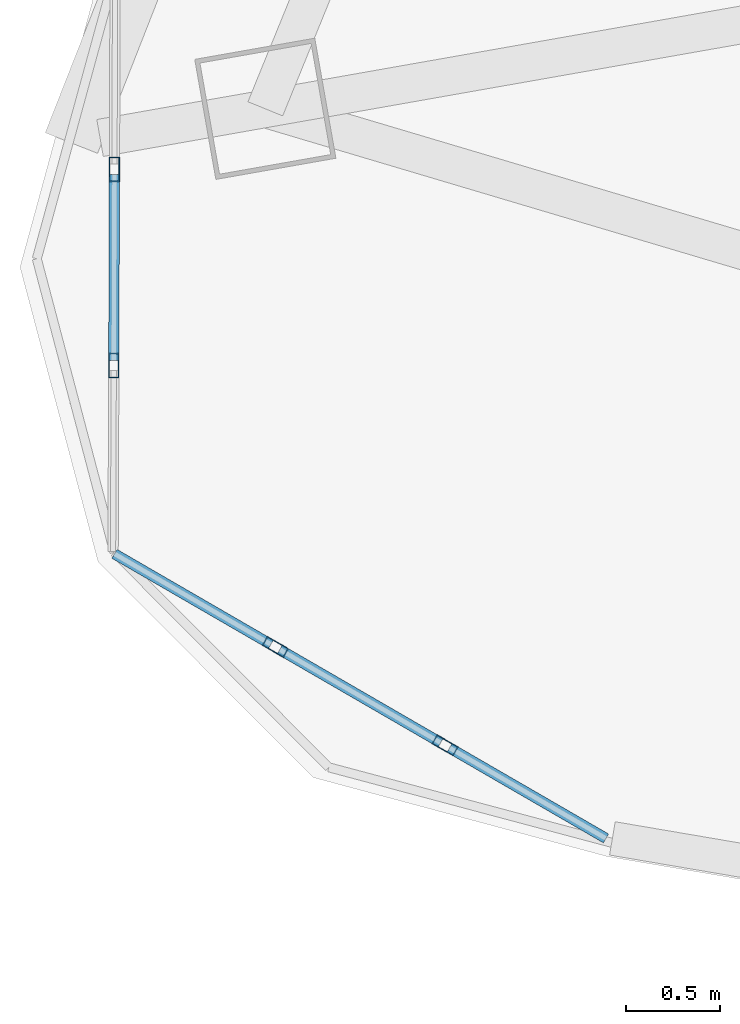
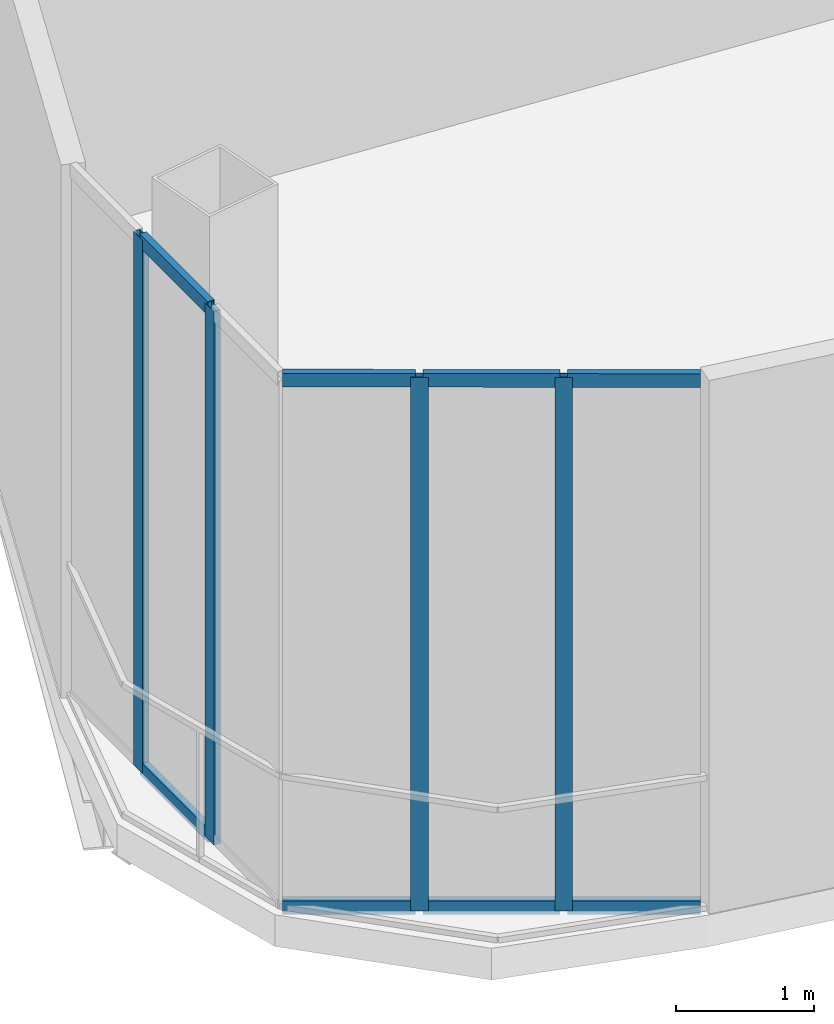
# One storey, part 2 of 33: 12 members, 2 elements without a shape of their own.
"""IFC4 building model written with IfcOpenShell, lengths in metres."""

from ifc_helpers import new_model, si_unit, direction, frame, origin, origin_2d, place, context, subcontext, project, spatial, hollow_rectangle, extrude, source, transform, mapped, material, layer, layer_set, material_profile, profile_set, type_object, element, aggregate, save


model = new_model("IFC4")

# Units and contexts
model_context = context("Model", 3, precision=1e-05, world=origin(), true_north=direction((0.0, 1.0)))
body_context = subcontext(model_context, "Body", "Model", "MODEL_VIEW")
ifc_project = project(units=[si_unit("LENGTHUNIT", "METRE"), si_unit("AREAUNIT", "SQUARE_METRE"), si_unit("VOLUMEUNIT", "CUBIC_METRE"), si_unit("PLANEANGLEUNIT", "RADIAN"), si_unit("MASSUNIT", "GRAM", prefix="KILO"), si_unit("THERMODYNAMICTEMPERATUREUNIT", "KELVIN"), si_unit("POWERUNIT", "WATT")], contexts=[model_context])

# Site, building, storey
site_placement = place(None, origin())
site = spatial("IfcSite", under=ifc_project, at=site_placement, CompositionType="ELEMENT")
building_placement = place(site_placement, origin())
building = spatial("IfcBuilding", under=site, at=building_placement, Name="Yunzhuo Pagoda Commons", CompositionType="ELEMENT")
storey_placement = place(building_placement, frame((0.0, 0.0, 386.760009765625)))
storey = spatial("IfcBuildingStorey", under=building, at=storey_placement, Name="L96", CompositionType="ELEMENT", Elevation=386.760009765625)

# Curtain wall, members
ifc_material = material(Name="Anodized aluminium 6063-T6", Category="aluminium")
ifc_layer = layer(ifc_material, 0.1298828125)
ifc_layer_set = layer_set([ifc_layer], Name="Anodized aluminium 6063-T6")
curtain_wall_type = type_object("IfcCurtainWallType", Name="CW-VTX Rounded Corner Curtain Wall", PredefinedType="NOTDEFINED", material=ifc_layer_set)
curtain_wall_1_placement = place(storey_placement, origin())
curtain_wall_1 = element("IfcCurtainWall", 1, at=curtain_wall_1_placement, inside=storey, type_object=curtain_wall_type, Name="L96 curtain wall CW-L96-CRNV1S1", PredefinedType="NOTDEFINED")
ifc_material_profile_1 = material_profile(ifc_material, hollow_rectangle(XDim=0.054931640625, YDim=0.1298828125, WallThickness=0.00341796875, at=origin_2d()), Name="Anodized aluminium 6063-T6")
ifc_profile_set_1 = profile_set([ifc_material_profile_1], Name="Anodized aluminium 6063-T6")
member_type_1 = type_object("IfcMemberType", Name="CW-VTX-M Mullion RHS 130x55x3.5", PredefinedType="MULLION", material=ifc_profile_set_1)
shared_shape_1 = source(origin(), body_context, "Body", "SweptSolid", [
    extrude(hollow_rectangle(XDim=0.054931640625, YDim=0.1298828125, WallThickness=0.00341796875, at=origin_2d()), origin(), (0.0, 0.0, 1.0), 4.72021484375),
])
member_1_placement = place(storey_placement, frame((22.72509765625, 29.0625, 0.0), z_axis=(0.0, 0.0, 1.0), x_axis=(0.99999363226, -0.003568674704, 0.0)))
member_1 = element("IfcMember", 2, at=member_1_placement, type_object=member_type_1, Name="CW mullion 2", PredefinedType="MULLION", context=body_context, shape_type="MappedRepresentation", body=[
    mapped(shared_shape_1, transform((0.0, 0.0, 0.0), scale=1.0)),
])
member_2_placement = place(storey_placement, frame((22.7216796875, 28.016357421875, 0.0), z_axis=(0.0, 0.0, 1.0), x_axis=(0.99999363226, -0.003568674704, 0.0)))
member_2 = element("IfcMember", 3, at=member_2_placement, type_object=member_type_1, Name="CW mullion 3", PredefinedType="MULLION", context=body_context, shape_type="MappedRepresentation", body=[
    mapped(shared_shape_1, transform((0.0, 0.0, 0.0), scale=1.0)),
])

curtain_wall_2_placement = place(storey_placement, origin())
curtain_wall_2 = element("IfcCurtainWall", 4, at=curtain_wall_2_placement, inside=storey, type_object=curtain_wall_type, Name="L96 curtain wall CW-L96-CRNV1S2", PredefinedType="NOTDEFINED")
member_3_placement = place(storey_placement, frame((23.583251953125, 26.515625, 0.0), z_axis=(0.0, 0.0, 1.0), x_axis=(0.501041294531, 0.865423376836, 0.0)))
member_3 = element("IfcMember", 5, at=member_3_placement, type_object=member_type_1, Name="CW mullion 2", PredefinedType="MULLION", context=body_context, shape_type="MappedRepresentation", body=[
    mapped(shared_shape_1, transform((0.0, 0.0, 0.0), scale=1.0)),
])
member_4_placement = place(storey_placement, frame((24.488525390625, 25.991455078125, 0.0), z_axis=(0.0, 0.0, 1.0), x_axis=(0.501041294531, 0.865423376836, 0.0)))
member_4 = element("IfcMember", 6, at=member_4_placement, type_object=member_type_1, Name="CW mullion 3", PredefinedType="MULLION", context=body_context, shape_type="MappedRepresentation", body=[
    mapped(shared_shape_1, transform((0.0, 0.0, 0.0), scale=1.0)),
])
ifc_material_profile_2 = material_profile(ifc_material, hollow_rectangle(XDim=0.054931640625, YDim=0.1201171875, WallThickness=0.00341796875, at=origin_2d()), Name="Anodized aluminium 6063-T6")
ifc_profile_set_2 = profile_set([ifc_material_profile_2], Name="Anodized aluminium 6063-T6")
member_type_2 = type_object("IfcMemberType", Name="CW-VTX-T Transom RHS 120x55x3.5", PredefinedType="USERDEFINED", material=ifc_profile_set_2)
shared_shape_2 = source(origin(), body_context, "Body", "SweptSolid", [
    extrude(hollow_rectangle(XDim=0.054931640625, YDim=0.1201171875, WallThickness=0.00341796875, at=origin_2d()), origin(), (0.0, 0.0, 1.0), 0.963623046875),
])
member_5_placement = place(storey_placement, frame((22.725341796875, 27.01220703125, 0.027587890625), z_axis=(0.865391594413, -0.501096186694, 0.0), x_axis=(0.501096186694, 0.865391594413, 0.0)))
member_5 = element("IfcMember", 7, at=member_5_placement, type_object=member_type_2, Name="CW transom 1.1", ObjectType="TRANSOM", PredefinedType="USERDEFINED", context=body_context, shape_type="MappedRepresentation", body=[
    mapped(shared_shape_2, transform((0.0, 0.0, 0.0), scale=1.0)),
])
member_6_placement = place(storey_placement, frame((22.725341796875, 27.01220703125, 4.6923828125), z_axis=(0.865391594413, -0.501096186694, 0.0), x_axis=(0.501096186694, 0.865391594413, 0.0)))
member_6 = element("IfcMember", 8, at=member_6_placement, type_object=member_type_2, Name="CW transom 1.2", ObjectType="TRANSOM", PredefinedType="USERDEFINED", context=body_context, shape_type="MappedRepresentation", body=[
    mapped(shared_shape_2, transform((0.0, 0.0, 0.0), scale=1.0)),
])

# Member
shared_shape_3 = source(origin(), body_context, "Body", "SweptSolid", [
    extrude(hollow_rectangle(XDim=0.054931640625, YDim=0.1201171875, WallThickness=0.00341796875, at=origin_2d()), origin(), (0.0, 0.0, 1.0), 0.990966796875),
])
member_7_placement = place(storey_placement, frame((22.72509765625, 29.034912109375, 0.027587890625), z_axis=(-0.003449104884, -0.99999405182, 0.0), x_axis=(0.99999405182, -0.003449104884, 0.0)))
member_7 = element("IfcMember", 9, at=member_7_placement, type_object=member_type_2, Name="CW transom 2.1", ObjectType="TRANSOM", PredefinedType="USERDEFINED", context=body_context, shape_type="MappedRepresentation", body=[
    mapped(shared_shape_3, transform((0.0, 0.0, 0.0), scale=1.0)),
])

member_8_placement = place(storey_placement, frame((22.72509765625, 29.034912109375, 4.6923828125), z_axis=(-0.003449104884, -0.99999405182, 0.0), x_axis=(0.99999405182, -0.003449104884, 0.0)))
member_8 = element("IfcMember", 10, at=member_8_placement, type_object=member_type_2, Name="CW transom 2.2", ObjectType="TRANSOM", PredefinedType="USERDEFINED", context=body_context, shape_type="MappedRepresentation", body=[
    mapped(shared_shape_3, transform((0.0, 0.0, 0.0), scale=1.0)),
])

aggregate(curtain_wall_1, [member_1, member_2, member_7, member_8])

shared_shape_4 = source(origin(), body_context, "Body", "SweptSolid", [
    extrude(hollow_rectangle(XDim=0.054931640625, YDim=0.1201171875, WallThickness=0.00341796875, at=origin_2d()), origin(), (0.0, 0.0, 1.0), 0.9912109375),
])
member_9_placement = place(storey_placement, frame((23.60693359375, 26.501708984375, 0.027587890625), z_axis=(0.86547124823, -0.500958599573, 0.0), x_axis=(0.500958599573, 0.86547124823, 0.0)))
member_9 = element("IfcMember", 11, at=member_9_placement, type_object=member_type_2, Name="CW transom 2.1", ObjectType="TRANSOM", PredefinedType="USERDEFINED", context=body_context, shape_type="MappedRepresentation", body=[
    mapped(shared_shape_4, transform((0.0, 0.0, 0.0), scale=1.0)),
])

member_10_placement = place(storey_placement, frame((23.60693359375, 26.501708984375, 4.6923828125), z_axis=(0.86547124823, -0.500958599573, 0.0), x_axis=(0.500958599573, 0.86547124823, 0.0)))
member_10 = element("IfcMember", 12, at=member_10_placement, type_object=member_type_2, Name="CW transom 2.2", ObjectType="TRANSOM", PredefinedType="USERDEFINED", context=body_context, shape_type="MappedRepresentation", body=[
    mapped(shared_shape_4, transform((0.0, 0.0, 0.0), scale=1.0)),
])

shared_shape_5 = source(origin(), body_context, "Body", "SweptSolid", [
    extrude(hollow_rectangle(XDim=0.054931640625, YDim=0.1201171875, WallThickness=0.00341796875, at=origin_2d()), origin(), (0.0, 0.0, 1.0), 0.96337890625),
])
member_11_placement = place(storey_placement, frame((24.512451171875, 25.9775390625, 0.027587890625), z_axis=(0.865437852253, -0.501016291041, 0.0), x_axis=(0.501016291041, 0.865437852253, 0.0)))
member_11 = element("IfcMember", 13, at=member_11_placement, type_object=member_type_2, Name="CW transom 3.1", ObjectType="TRANSOM", PredefinedType="USERDEFINED", context=body_context, shape_type="MappedRepresentation", body=[
    mapped(shared_shape_5, transform((0.0, 0.0, 0.0), scale=1.0)),
])

member_12_placement = place(storey_placement, frame((24.512451171875, 25.9775390625, 4.6923828125), z_axis=(0.865437852253, -0.501016291041, 0.0), x_axis=(0.501016291041, 0.865437852253, 0.0)))
member_12 = element("IfcMember", 14, at=member_12_placement, type_object=member_type_2, Name="CW transom 3.2", ObjectType="TRANSOM", PredefinedType="USERDEFINED", context=body_context, shape_type="MappedRepresentation", body=[
    mapped(shared_shape_5, transform((0.0, 0.0, 0.0), scale=1.0)),
])

aggregate(curtain_wall_2, [member_3, member_4, member_5, member_6, member_9, member_10, member_11, member_12])

save(model, "model.ifc")
